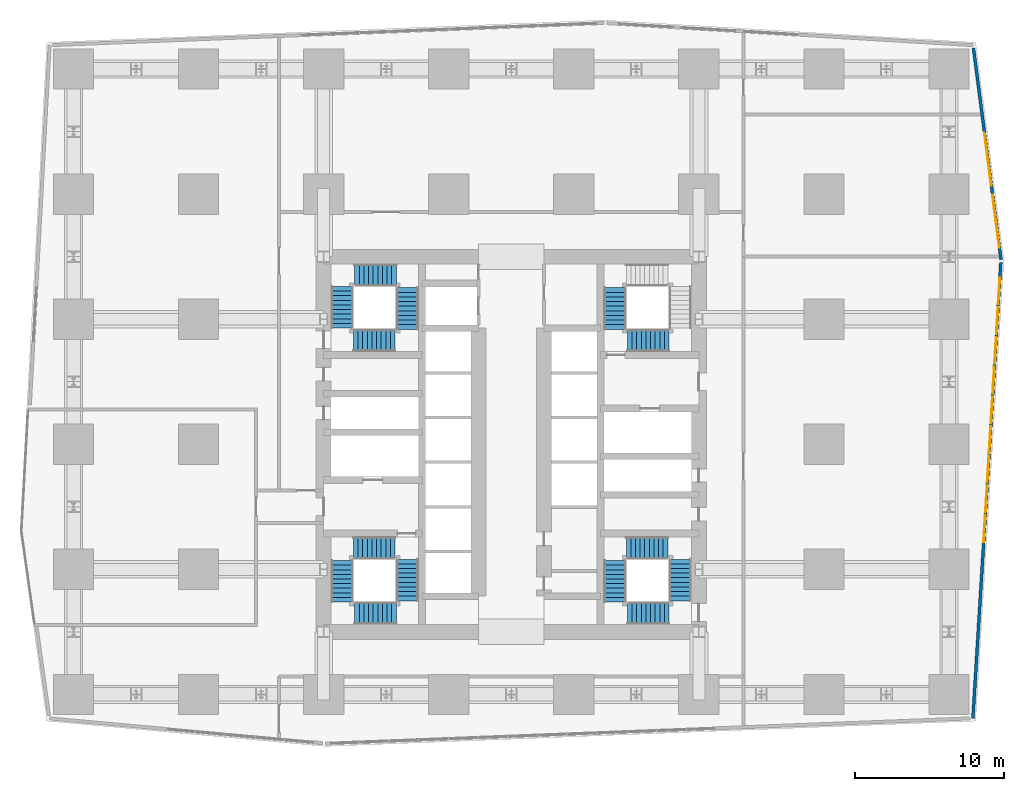
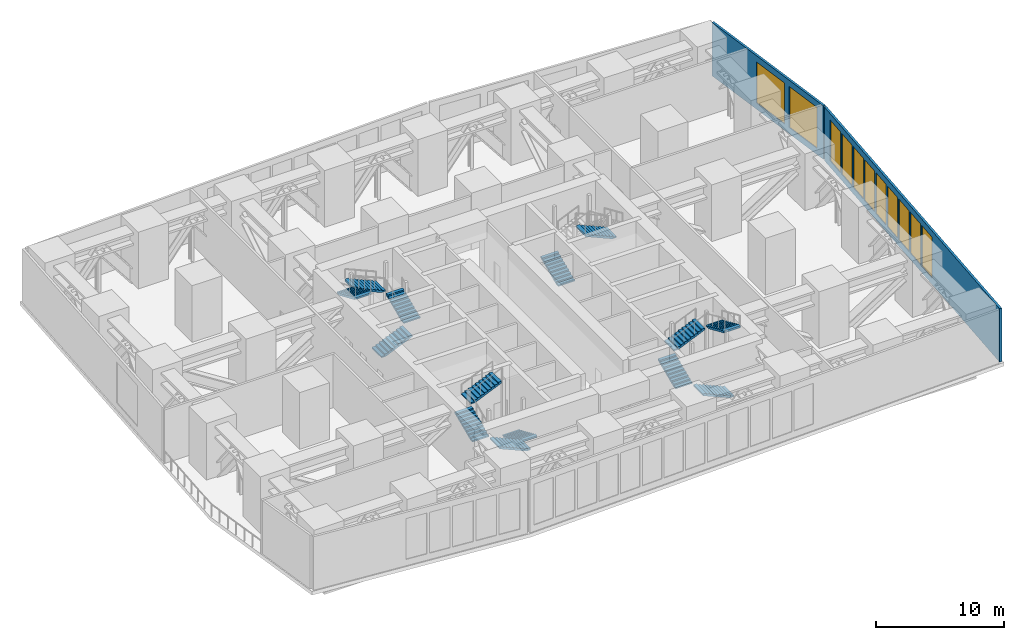
# One storey, part 12 of 16: 14 stair flights, 11 windows, 2 walls, 11 openings, 4 elements without a shape of their own.
"""IFC4 building model written with IfcOpenShell, lengths in metres."""

from ifc_helpers import new_model, si_unit, direction, frame, frame_2d, origin, place, context, subcontext, project, spatial, polyline, rectangle, outline, extrude, material, layer, layer_set, type_object, element, fill, aggregate, save


model = new_model("IFC4")

# Units and contexts
model_context = context("Model", 3, precision=1e-05, world=origin(), true_north=direction((0.0, 1.0)))
body_context = subcontext(model_context, "Body", "Model", "MODEL_VIEW")
ifc_project = project(units=[si_unit("LENGTHUNIT", "METRE"), si_unit("AREAUNIT", "SQUARE_METRE"), si_unit("VOLUMEUNIT", "CUBIC_METRE"), si_unit("PLANEANGLEUNIT", "RADIAN"), si_unit("MASSUNIT", "GRAM", prefix="KILO")], contexts=[model_context])

# Site, building, storey
site_placement = place(None, origin())
site = spatial("IfcSite", under=ifc_project, at=site_placement, CompositionType="ELEMENT")
building_placement = place(site_placement, origin())
building = spatial("IfcBuilding", under=site, at=building_placement, Name="Rekha Terrace Tower", CompositionType="ELEMENT")
storey_placement = place(building_placement, frame((0.0, 0.0, 162.800048828125)))
storey = spatial("IfcBuildingStorey", under=building, at=storey_placement, Name="L41", CompositionType="ELEMENT", Elevation=162.800048828125)

# Wall, openings, windows
ifc_material_1 = material(Name="Aluminium cladding on steel stud wall", Category="steel")
ifc_layer = layer(ifc_material_1, 0.199951171875)
ifc_layer_set = layer_set([ifc_layer], Name="Aluminium cladding on steel stud wall")
wall_type = type_object("IfcWallType", Name="EW1 plant floor louvre wall 200", PredefinedType="SOLIDWALL", material=ifc_layer_set)
wall_1_placement = place(storey_placement, frame((68.8115234375, 15.19287109375, 0.0), z_axis=(0.0, 0.0, 1.0), x_axis=(0.061158461772, 0.998128069214, 0.0)))
wall_1 = element("IfcWall", 1, at=wall_1_placement, inside=storey, type_object=wall_type, Name="Plant floor louvre wall", PredefinedType="SOLIDWALL", context=body_context, shape_type="SweptSolid", body=[
    extrude(rectangle(XDim=30.666015625, YDim=0.199951171875, at=frame_2d((15.3330078125, 0.0))), origin(), (0.0, 0.0, 1.0), 5.099853515625),
])
opening_1_placement = place(wall_1_placement, frame((11.851318359375, 0.0, 0.60009765625)))
opening_1 = element("IfcOpeningElement", 2, at=opening_1_placement, cuts=wall_1, Name="Opening LV2", PredefinedType="OPENING", context=body_context, shape_type="SweptSolid", body=[
    extrude(rectangle(XDim=1.800048828125, YDim=3.89990234375, at=frame_2d((0.89990234375, 1.949951171875))), frame((0.0, 0.10986328125, 0.0), z_axis=(0.0, -1.0, 0.0), x_axis=(1.0, 0.0, 0.0)), (0.0, 0.0, 1.0), 0.219970703125),
])
opening_2_placement = place(wall_1_placement, frame((13.851318359375, 0.0, 0.60009765625)))
opening_2 = element("IfcOpeningElement", 3, at=opening_2_placement, cuts=wall_1, Name="Opening LV2", PredefinedType="OPENING", context=body_context, shape_type="SweptSolid", body=[
    extrude(rectangle(XDim=1.800048828125, YDim=3.89990234375, at=frame_2d((0.89990234375, 1.949951171875))), frame((0.0, 0.10986328125, 0.0), z_axis=(0.0, -1.0, 0.0), x_axis=(1.0, 0.0, 0.0)), (0.0, 0.0, 1.0), 0.219970703125),
])
opening_3_placement = place(wall_1_placement, frame((15.851318359375, 0.0, 0.60009765625)))
opening_3 = element("IfcOpeningElement", 4, at=opening_3_placement, cuts=wall_1, Name="Opening LV2", PredefinedType="OPENING", context=body_context, shape_type="SweptSolid", body=[
    extrude(rectangle(XDim=1.800048828125, YDim=3.89990234375, at=frame_2d((0.89990234375, 1.949951171875))), frame((0.0, 0.10986328125, 0.0), z_axis=(0.0, -1.0, 0.0), x_axis=(1.0, 0.0, 0.0)), (0.0, 0.0, 1.0), 0.219970703125),
])
opening_4_placement = place(wall_1_placement, frame((17.851318359375, 0.0, 0.60009765625)))
opening_4 = element("IfcOpeningElement", 5, at=opening_4_placement, cuts=wall_1, Name="Opening LV2", PredefinedType="OPENING", context=body_context, shape_type="SweptSolid", body=[
    extrude(rectangle(XDim=1.800048828125, YDim=3.89990234375, at=frame_2d((0.89990234375, 1.949951171875))), frame((0.0, 0.10986328125, 0.0), z_axis=(0.0, -1.0, 0.0), x_axis=(1.0, 0.0, 0.0)), (0.0, 0.0, 1.0), 0.219970703125),
])
opening_5_placement = place(wall_1_placement, frame((19.851318359375, 0.0, 0.60009765625)))
opening_5 = element("IfcOpeningElement", 6, at=opening_5_placement, cuts=wall_1, Name="Opening LV2", PredefinedType="OPENING", context=body_context, shape_type="SweptSolid", body=[
    extrude(rectangle(XDim=1.800048828125, YDim=3.89990234375, at=frame_2d((0.89990234375, 1.949951171875))), frame((0.0, 0.10986328125, 0.0), z_axis=(0.0, -1.0, 0.0), x_axis=(1.0, 0.0, 0.0)), (0.0, 0.0, 1.0), 0.219970703125),
])
opening_6_placement = place(wall_1_placement, frame((21.851318359375, 0.0, 0.60009765625)))
opening_6 = element("IfcOpeningElement", 7, at=opening_6_placement, cuts=wall_1, Name="Opening LV2", PredefinedType="OPENING", context=body_context, shape_type="SweptSolid", body=[
    extrude(rectangle(XDim=1.800048828125, YDim=3.89990234375, at=frame_2d((0.89990234375, 1.949951171875))), frame((0.0, 0.10986328125, 0.0), z_axis=(0.0, -1.0, 0.0), x_axis=(1.0, 0.0, 0.0)), (0.0, 0.0, 1.0), 0.219970703125),
])
opening_7_placement = place(wall_1_placement, frame((23.851318359375, 0.0, 0.60009765625)))
opening_7 = element("IfcOpeningElement", 8, at=opening_7_placement, cuts=wall_1, Name="Opening LV2", PredefinedType="OPENING", context=body_context, shape_type="SweptSolid", body=[
    extrude(rectangle(XDim=1.800048828125, YDim=3.89990234375, at=frame_2d((0.89990234375, 1.949951171875))), frame((0.0, 0.10986328125, 0.0), z_axis=(0.0, -1.0, 0.0), x_axis=(1.0, 0.0, 0.0)), (0.0, 0.0, 1.0), 0.219970703125),
])
opening_8_placement = place(wall_1_placement, frame((25.851318359375, 0.0, 0.60009765625)))
opening_8 = element("IfcOpeningElement", 9, at=opening_8_placement, cuts=wall_1, Name="Opening LV2", PredefinedType="OPENING", context=body_context, shape_type="SweptSolid", body=[
    extrude(rectangle(XDim=1.800048828125, YDim=3.89990234375, at=frame_2d((0.89990234375, 1.949951171875))), frame((0.0, 0.10986328125, 0.0), z_axis=(0.0, -1.0, 0.0), x_axis=(1.0, 0.0, 0.0)), (0.0, 0.0, 1.0), 0.219970703125),
])
opening_9_placement = place(wall_1_placement, frame((27.851318359375, 0.0, 0.60009765625)))
opening_9 = element("IfcOpeningElement", 10, at=opening_9_placement, cuts=wall_1, Name="Opening LV2", PredefinedType="OPENING", context=body_context, shape_type="SweptSolid", body=[
    extrude(rectangle(XDim=1.800048828125, YDim=3.89990234375, at=frame_2d((0.89990234375, 1.949951171875))), frame((0.0, 0.10986328125, 0.0), z_axis=(0.0, -1.0, 0.0), x_axis=(1.0, 0.0, 0.0)), (0.0, 0.0, 1.0), 0.219970703125),
])
ifc_material_2 = material(Name="Extruded aluminium weather louvre", Category="aluminium")
window_type_1 = type_object("IfcWindowType", Name="LV2 plant louvre 1800", PartitioningType="SINGLE_PANEL", PredefinedType="USERDEFINED", material=ifc_material_2)
window_1_placement = place(opening_1_placement, origin())
window_1 = element("IfcWindow", 11, at=window_1_placement, inside=storey, type_object=window_type_1, Name="Plant louvre", ObjectType="LOUVRE", OverallHeight=3.89990234375, OverallWidth=1.800048828125, PartitioningType="SINGLE_PANEL", PredefinedType="USERDEFINED", context=body_context, shape_type="SweptSolid", body=[
    extrude(rectangle(XDim=1.800048828125, YDim=3.89990234375, at=frame_2d((0.89990234375, 1.949951171875))), frame((0.0, 0.030029296875, 0.0), z_axis=(0.0, -1.0, 0.0), x_axis=(1.0, 0.0, 0.0)), (0.0, 0.0, 1.0), 0.06005859375),
])
fill(opening_1, window_1)
window_2_placement = place(opening_2_placement, origin())
window_2 = element("IfcWindow", 12, at=window_2_placement, inside=storey, type_object=window_type_1, Name="Plant louvre", ObjectType="LOUVRE", OverallHeight=3.89990234375, OverallWidth=1.800048828125, PartitioningType="SINGLE_PANEL", PredefinedType="USERDEFINED", context=body_context, shape_type="SweptSolid", body=[
    extrude(rectangle(XDim=1.800048828125, YDim=3.89990234375, at=frame_2d((0.89990234375, 1.949951171875))), frame((0.0, 0.030029296875, 0.0), z_axis=(0.0, -1.0, 0.0), x_axis=(1.0, 0.0, 0.0)), (0.0, 0.0, 1.0), 0.06005859375),
])
fill(opening_2, window_2)
window_3_placement = place(opening_3_placement, origin())
window_3 = element("IfcWindow", 13, at=window_3_placement, inside=storey, type_object=window_type_1, Name="Plant louvre", ObjectType="LOUVRE", OverallHeight=3.89990234375, OverallWidth=1.800048828125, PartitioningType="SINGLE_PANEL", PredefinedType="USERDEFINED", context=body_context, shape_type="SweptSolid", body=[
    extrude(rectangle(XDim=1.800048828125, YDim=3.89990234375, at=frame_2d((0.89990234375, 1.949951171875))), frame((0.0, 0.030029296875, 0.0), z_axis=(0.0, -1.0, 0.0), x_axis=(1.0, 0.0, 0.0)), (0.0, 0.0, 1.0), 0.06005859375),
])
fill(opening_3, window_3)
window_4_placement = place(opening_4_placement, origin())
window_4 = element("IfcWindow", 14, at=window_4_placement, inside=storey, type_object=window_type_1, Name="Plant louvre", ObjectType="LOUVRE", OverallHeight=3.89990234375, OverallWidth=1.800048828125, PartitioningType="SINGLE_PANEL", PredefinedType="USERDEFINED", context=body_context, shape_type="SweptSolid", body=[
    extrude(rectangle(XDim=1.800048828125, YDim=3.89990234375, at=frame_2d((0.89990234375, 1.949951171875))), frame((0.0, 0.030029296875, 0.0), z_axis=(0.0, -1.0, 0.0), x_axis=(1.0, 0.0, 0.0)), (0.0, 0.0, 1.0), 0.06005859375),
])
fill(opening_4, window_4)
window_5_placement = place(opening_5_placement, origin())
window_5 = element("IfcWindow", 15, at=window_5_placement, inside=storey, type_object=window_type_1, Name="Plant louvre", ObjectType="LOUVRE", OverallHeight=3.89990234375, OverallWidth=1.800048828125, PartitioningType="SINGLE_PANEL", PredefinedType="USERDEFINED", context=body_context, shape_type="SweptSolid", body=[
    extrude(rectangle(XDim=1.800048828125, YDim=3.89990234375, at=frame_2d((0.89990234375, 1.949951171875))), frame((0.0, 0.030029296875, 0.0), z_axis=(0.0, -1.0, 0.0), x_axis=(1.0, 0.0, 0.0)), (0.0, 0.0, 1.0), 0.06005859375),
])
fill(opening_5, window_5)
window_6_placement = place(opening_6_placement, origin())
window_6 = element("IfcWindow", 16, at=window_6_placement, inside=storey, type_object=window_type_1, Name="Plant louvre", ObjectType="LOUVRE", OverallHeight=3.89990234375, OverallWidth=1.800048828125, PartitioningType="SINGLE_PANEL", PredefinedType="USERDEFINED", context=body_context, shape_type="SweptSolid", body=[
    extrude(rectangle(XDim=1.800048828125, YDim=3.89990234375, at=frame_2d((0.89990234375, 1.949951171875))), frame((0.0, 0.030029296875, 0.0), z_axis=(0.0, -1.0, 0.0), x_axis=(1.0, 0.0, 0.0)), (0.0, 0.0, 1.0), 0.06005859375),
])
fill(opening_6, window_6)
window_7_placement = place(opening_7_placement, origin())
window_7 = element("IfcWindow", 17, at=window_7_placement, inside=storey, type_object=window_type_1, Name="Plant louvre", ObjectType="LOUVRE", OverallHeight=3.89990234375, OverallWidth=1.800048828125, PartitioningType="SINGLE_PANEL", PredefinedType="USERDEFINED", context=body_context, shape_type="SweptSolid", body=[
    extrude(rectangle(XDim=1.800048828125, YDim=3.89990234375, at=frame_2d((0.89990234375, 1.949951171875))), frame((0.0, 0.030029296875, 0.0), z_axis=(0.0, -1.0, 0.0), x_axis=(1.0, 0.0, 0.0)), (0.0, 0.0, 1.0), 0.06005859375),
])
fill(opening_7, window_7)
window_8_placement = place(opening_8_placement, origin())
window_8 = element("IfcWindow", 18, at=window_8_placement, inside=storey, type_object=window_type_1, Name="Plant louvre", ObjectType="LOUVRE", OverallHeight=3.89990234375, OverallWidth=1.800048828125, PartitioningType="SINGLE_PANEL", PredefinedType="USERDEFINED", context=body_context, shape_type="SweptSolid", body=[
    extrude(rectangle(XDim=1.800048828125, YDim=3.89990234375, at=frame_2d((0.89990234375, 1.949951171875))), frame((0.0, 0.030029296875, 0.0), z_axis=(0.0, -1.0, 0.0), x_axis=(1.0, 0.0, 0.0)), (0.0, 0.0, 1.0), 0.06005859375),
])
fill(opening_8, window_8)
window_9_placement = place(opening_9_placement, origin())
window_9 = element("IfcWindow", 19, at=window_9_placement, inside=storey, type_object=window_type_1, Name="Plant louvre", ObjectType="LOUVRE", OverallHeight=3.89990234375, OverallWidth=1.800048828125, PartitioningType="SINGLE_PANEL", PredefinedType="USERDEFINED", context=body_context, shape_type="SweptSolid", body=[
    extrude(rectangle(XDim=1.800048828125, YDim=3.89990234375, at=frame_2d((0.89990234375, 1.949951171875))), frame((0.0, 0.030029296875, 0.0), z_axis=(0.0, -1.0, 0.0), x_axis=(1.0, 0.0, 0.0)), (0.0, 0.0, 1.0), 0.06005859375),
])
fill(opening_9, window_9)

wall_2_placement = place(storey_placement, frame((70.69921875, 46.001220703125, 0.0), z_axis=(0.0, 0.0, 1.0), x_axis=(-0.129117772867, 0.991629265769, 0.0)))
wall_2 = element("IfcWall", 20, at=wall_2_placement, inside=storey, type_object=wall_type, Name="Plant floor louvre wall", PredefinedType="SOLIDWALL", context=body_context, shape_type="SweptSolid", body=[
    extrude(rectangle(XDim=14.33056640625, YDim=0.199951171875, at=frame_2d((7.165283203125, 0.0))), origin(), (0.0, 0.0, 1.0), 5.099853515625),
])
opening_10_placement = place(wall_2_placement, frame((0.79443359375, 0.0, 0.60009765625)))
opening_10 = element("IfcOpeningElement", 21, at=opening_10_placement, cuts=wall_2, Name="Opening LV1", PredefinedType="OPENING", context=body_context, shape_type="SweptSolid", body=[
    extrude(rectangle(XDim=3.60009765625, YDim=3.89990234375, at=frame_2d((1.800048828125, 1.949951171875))), frame((0.0, 0.10986328125, 0.0), z_axis=(0.0, -1.0, 0.0), x_axis=(1.0, 0.0, 0.0)), (0.0, 0.0, 1.0), 0.219970703125),
])
opening_11_placement = place(wall_2_placement, frame((4.994384765625, 0.0, 0.60009765625)))
opening_11 = element("IfcOpeningElement", 22, at=opening_11_placement, cuts=wall_2, Name="Opening LV1", PredefinedType="OPENING", context=body_context, shape_type="SweptSolid", body=[
    extrude(rectangle(XDim=3.60009765625, YDim=3.89990234375, at=frame_2d((1.800048828125, 1.949951171875))), frame((0.0, 0.10986328125, 0.0), z_axis=(0.0, -1.0, 0.0), x_axis=(1.0, 0.0, 0.0)), (0.0, 0.0, 1.0), 0.219970703125),
])
window_type_2 = type_object("IfcWindowType", Name="LV1 plant louvre 3600", PartitioningType="SINGLE_PANEL", PredefinedType="USERDEFINED", material=ifc_material_2)
window_10_placement = place(opening_10_placement, origin())
window_10 = element("IfcWindow", 23, at=window_10_placement, inside=storey, type_object=window_type_2, Name="Plant louvre", ObjectType="LOUVRE", OverallHeight=3.89990234375, OverallWidth=3.60009765625, PartitioningType="SINGLE_PANEL", PredefinedType="USERDEFINED", context=body_context, shape_type="SweptSolid", body=[
    extrude(rectangle(XDim=3.60009765625, YDim=3.89990234375, at=frame_2d((1.800048828125, 1.949951171875))), frame((0.0, 0.030029296875, 0.0), z_axis=(0.0, -1.0, 0.0), x_axis=(1.0, 0.0, 0.0)), (0.0, 0.0, 1.0), 0.06005859375),
])
fill(opening_10, window_10)
window_11_placement = place(opening_11_placement, origin())
window_11 = element("IfcWindow", 24, at=window_11_placement, inside=storey, type_object=window_type_2, Name="Plant louvre", ObjectType="LOUVRE", OverallHeight=3.89990234375, OverallWidth=3.60009765625, PartitioningType="SINGLE_PANEL", PredefinedType="USERDEFINED", context=body_context, shape_type="SweptSolid", body=[
    extrude(rectangle(XDim=3.60009765625, YDim=3.89990234375, at=frame_2d((1.800048828125, 1.949951171875))), frame((0.0, 0.030029296875, 0.0), z_axis=(0.0, -1.0, 0.0), x_axis=(1.0, 0.0, 0.0)), (0.0, 0.0, 1.0), 0.06005859375),
])
fill(opening_11, window_11)

# Stair, stair flights
ifc_material_3 = material(Name="Concrete M40", Category="concrete")
stair_type = type_object("IfcStairType", Name="ST40 stair, 40 risers of 135, going 310, 1500 wide flights, 4 flights", PredefinedType="QUARTER_TURN_STAIR", material=ifc_material_3)
stair_1_placement = place(storey_placement, origin())
stair_1 = element("IfcStair", 25, at=stair_1_placement, inside=storey, type_object=stair_type, Name="Stair ST1 L41 to L42", PredefinedType="QUARTER_TURN_STAIR")
stair_flight_type = type_object("IfcStairFlightType", Name="SF10 stair flight, 10 risers of 135, going 310, 1500 wide", PredefinedType="STRAIGHT", material=ifc_material_3)
stair_flight_1_placement = place(storey_placement, frame((30.824951171875, 25.875, 0.0), z_axis=(0.0, 0.0, 1.0), x_axis=(0.0, -1.0, 0.0)))
stair_flight_1 = element("IfcStairFlight", 26, at=stair_flight_1_placement, type_object=stair_flight_type, Name="ST1 flight 1", NumberOfRisers=10, NumberOfTreads=9, PredefinedType="STRAIGHT", RiserHeight=0.135, TreadLength=0.31, context=body_context, shape_type="SweptSolid", body=[
    extrude(outline(polyline([(0.0, 0.0), (0.0, 0.135009765625), (0.31005859375, 0.135009765625), (0.31005859375, 0.27001953125), (0.6201171875, 0.27001953125), (0.6201171875, 0.405029296875), (0.929931640625, 0.405029296875), (0.929931640625, 0.5400390625), (1.239990234375, 0.5400390625), (1.239990234375, 0.675048828125), (1.550048828125, 0.675048828125), (1.550048828125, 0.81005859375), (1.860107421875, 0.81005859375), (1.860107421875, 0.945068359375), (2.169921875, 0.945068359375), (2.169921875, 1.080078125), (2.47998046875, 1.080078125), (2.47998046875, 1.215087890625), (2.7900390625, 1.215087890625), (2.7900390625, 1.35009765625), (2.7900390625, 1.051513671875), (0.37548828125, 0.0), (0.0, 0.0)])), frame((0.0, 0.75, 0.0), z_axis=(0.0, -1.0, 0.0), x_axis=(1.0, 0.0, 0.0)), (0.0, 0.0, 1.0), 1.5),
])
stair_flight_2_placement = place(storey_placement, frame((30.074951171875, 22.25, 1.349853515625), z_axis=(0.0, 0.0, 1.0), x_axis=(-1.0, 0.0, 0.0)))
stair_flight_2 = element("IfcStairFlight", 27, at=stair_flight_2_placement, type_object=stair_flight_type, Name="ST1 flight 2", NumberOfRisers=10, NumberOfTreads=9, PredefinedType="STRAIGHT", RiserHeight=0.135, TreadLength=0.31, context=body_context, shape_type="SweptSolid", body=[
    extrude(outline(polyline([(0.0, 0.0), (0.0, 0.135009765625), (0.31005859375, 0.135009765625), (0.31005859375, 0.27001953125), (0.6201171875, 0.27001953125), (0.6201171875, 0.405029296875), (0.929931640625, 0.405029296875), (0.929931640625, 0.5400390625), (1.239990234375, 0.5400390625), (1.239990234375, 0.675048828125), (1.550048828125, 0.675048828125), (1.550048828125, 0.81005859375), (1.860107421875, 0.81005859375), (1.860107421875, 0.945068359375), (2.169921875, 0.945068359375), (2.169921875, 1.080078125), (2.47998046875, 1.080078125), (2.47998046875, 1.215087890625), (2.7900390625, 1.215087890625), (2.7900390625, 1.35009765625), (2.7900390625, 1.051513671875), (0.37548828125, 0.0), (0.0, 0.0)])), frame((0.0, 0.75, 0.0), z_axis=(0.0, -1.0, 0.0), x_axis=(1.0, 0.0, 0.0)), (0.0, 0.0, 1.0), 1.5),
])
stair_flight_3_placement = place(storey_placement, frame((26.449951171875, 23.0, 2.699951171875), z_axis=(0.0, 0.0, 1.0), x_axis=(0.0, 1.0, 0.0)))
stair_flight_3 = element("IfcStairFlight", 28, at=stair_flight_3_placement, type_object=stair_flight_type, Name="ST1 flight 3", NumberOfRisers=10, NumberOfTreads=9, PredefinedType="STRAIGHT", RiserHeight=0.135, TreadLength=0.31, context=body_context, shape_type="SweptSolid", body=[
    extrude(outline(polyline([(0.0, 0.0), (0.0, 0.135009765625), (0.31005859375, 0.135009765625), (0.31005859375, 0.27001953125), (0.6201171875, 0.27001953125), (0.6201171875, 0.405029296875), (0.929931640625, 0.405029296875), (0.929931640625, 0.5400390625), (1.239990234375, 0.5400390625), (1.239990234375, 0.675048828125), (1.550048828125, 0.675048828125), (1.550048828125, 0.81005859375), (1.860107421875, 0.81005859375), (1.860107421875, 0.945068359375), (2.169921875, 0.945068359375), (2.169921875, 1.080078125), (2.47998046875, 1.080078125), (2.47998046875, 1.215087890625), (2.7900390625, 1.215087890625), (2.7900390625, 1.35009765625), (2.7900390625, 1.051513671875), (0.37548828125, 0.0), (0.0, 0.0)])), frame((0.0, 0.75, 0.0), z_axis=(0.0, -1.0, 0.0), x_axis=(1.0, 0.0, 0.0)), (0.0, 0.0, 1.0), 1.5),
])
stair_flight_4_placement = place(storey_placement, frame((27.199951171875, 26.625, 4.050048828125), z_axis=(0.0, 0.0, 1.0), x_axis=(1.0, 0.0, 0.0)))
stair_flight_4 = element("IfcStairFlight", 29, at=stair_flight_4_placement, type_object=stair_flight_type, Name="ST1 flight 4", NumberOfRisers=10, NumberOfTreads=9, PredefinedType="STRAIGHT", RiserHeight=0.135, TreadLength=0.31, context=body_context, shape_type="SweptSolid", body=[
    extrude(outline(polyline([(0.0, 0.0), (0.0, 0.135009765625), (0.31005859375, 0.135009765625), (0.31005859375, 0.27001953125), (0.6201171875, 0.27001953125), (0.6201171875, 0.405029296875), (0.929931640625, 0.405029296875), (0.929931640625, 0.5400390625), (1.239990234375, 0.5400390625), (1.239990234375, 0.675048828125), (1.550048828125, 0.675048828125), (1.550048828125, 0.81005859375), (1.860107421875, 0.81005859375), (1.860107421875, 0.945068359375), (2.169921875, 0.945068359375), (2.169921875, 1.080078125), (2.47998046875, 1.080078125), (2.47998046875, 1.215087890625), (2.7900390625, 1.215087890625), (2.7900390625, 1.35009765625), (2.7900390625, 1.051513671875), (0.37548828125, 0.0), (0.0, 0.0)])), frame((0.0, 0.75, 0.0), z_axis=(0.0, -1.0, 0.0), x_axis=(1.0, 0.0, 0.0)), (0.0, 0.0, 1.0), 1.5),
])
aggregate(stair_1, [stair_flight_1, stair_flight_2, stair_flight_3, stair_flight_4])

stair_2_placement = place(storey_placement, origin())
stair_2 = element("IfcStair", 30, at=stair_2_placement, inside=storey, type_object=stair_type, Name="Stair ST2 L41 to L42", PredefinedType="QUARTER_TURN_STAIR")
stair_flight_5_placement = place(storey_placement, frame((44.77490234375, 41.324951171875, 0.0), z_axis=(0.0, 0.0, 1.0), x_axis=(0.0, 1.0, 0.0)))
stair_flight_5 = element("IfcStairFlight", 31, at=stair_flight_5_placement, type_object=stair_flight_type, Name="ST2 flight 1", NumberOfRisers=10, NumberOfTreads=9, PredefinedType="STRAIGHT", RiserHeight=0.135, TreadLength=0.31, context=body_context, shape_type="SweptSolid", body=[
    extrude(outline(polyline([(0.0, 0.0), (0.0, 0.135009765625), (0.31005859375, 0.135009765625), (0.31005859375, 0.27001953125), (0.6201171875, 0.27001953125), (0.6201171875, 0.405029296875), (0.929931640625, 0.405029296875), (0.929931640625, 0.5400390625), (1.239990234375, 0.5400390625), (1.239990234375, 0.675048828125), (1.550048828125, 0.675048828125), (1.550048828125, 0.81005859375), (1.860107421875, 0.81005859375), (1.860107421875, 0.945068359375), (2.169921875, 0.945068359375), (2.169921875, 1.080078125), (2.47998046875, 1.080078125), (2.47998046875, 1.215087890625), (2.7900390625, 1.215087890625), (2.7900390625, 1.35009765625), (2.7900390625, 1.051513671875), (0.37548828125, 0.0), (0.0, 0.0)])), frame((0.0, 0.75, 0.0), z_axis=(0.0, -1.0, 0.0), x_axis=(1.0, 0.0, 0.0)), (0.0, 0.0, 1.0), 1.5),
])
stair_flight_6_placement = place(storey_placement, frame((48.39990234375, 40.574951171875, 4.050048828125), z_axis=(0.0, 0.0, 1.0), x_axis=(-1.0, 0.0, 0.0)))
stair_flight_6 = element("IfcStairFlight", 32, at=stair_flight_6_placement, type_object=stair_flight_type, Name="ST2 flight 4", NumberOfRisers=10, NumberOfTreads=9, PredefinedType="STRAIGHT", RiserHeight=0.135, TreadLength=0.31, context=body_context, shape_type="SweptSolid", body=[
    extrude(outline(polyline([(0.0, 0.0), (0.0, 0.135009765625), (0.31005859375, 0.135009765625), (0.31005859375, 0.27001953125), (0.6201171875, 0.27001953125), (0.6201171875, 0.405029296875), (0.929931640625, 0.405029296875), (0.929931640625, 0.5400390625), (1.239990234375, 0.5400390625), (1.239990234375, 0.675048828125), (1.550048828125, 0.675048828125), (1.550048828125, 0.81005859375), (1.860107421875, 0.81005859375), (1.860107421875, 0.945068359375), (2.169921875, 0.945068359375), (2.169921875, 1.080078125), (2.47998046875, 1.080078125), (2.47998046875, 1.215087890625), (2.7900390625, 1.215087890625), (2.7900390625, 1.35009765625), (2.7900390625, 1.051513671875), (0.37548828125, 0.0), (0.0, 0.0)])), frame((0.0, 0.75, 0.0), z_axis=(0.0, -1.0, 0.0), x_axis=(1.0, 0.0, 0.0)), (0.0, 0.0, 1.0), 1.5),
])
aggregate(stair_2, [stair_flight_5, stair_flight_6])

stair_3_placement = place(storey_placement, origin())
stair_3 = element("IfcStair", 33, at=stair_3_placement, inside=storey, type_object=stair_type, Name="Stair ST3 L41 to L42", PredefinedType="QUARTER_TURN_STAIR")
stair_flight_7_placement = place(storey_placement, frame((48.39990234375, 22.25, 0.0), z_axis=(0.0, 0.0, 1.0), x_axis=(-1.0, 0.0, 0.0)))
stair_flight_7 = element("IfcStairFlight", 34, at=stair_flight_7_placement, type_object=stair_flight_type, Name="ST3 flight 1", NumberOfRisers=10, NumberOfTreads=9, PredefinedType="STRAIGHT", RiserHeight=0.135, TreadLength=0.31, context=body_context, shape_type="SweptSolid", body=[
    extrude(outline(polyline([(0.0, 0.0), (0.0, 0.135009765625), (0.31005859375, 0.135009765625), (0.31005859375, 0.27001953125), (0.6201171875, 0.27001953125), (0.6201171875, 0.405029296875), (0.929931640625, 0.405029296875), (0.929931640625, 0.5400390625), (1.239990234375, 0.5400390625), (1.239990234375, 0.675048828125), (1.550048828125, 0.675048828125), (1.550048828125, 0.81005859375), (1.860107421875, 0.81005859375), (1.860107421875, 0.945068359375), (2.169921875, 0.945068359375), (2.169921875, 1.080078125), (2.47998046875, 1.080078125), (2.47998046875, 1.215087890625), (2.7900390625, 1.215087890625), (2.7900390625, 1.35009765625), (2.7900390625, 1.051513671875), (0.37548828125, 0.0), (0.0, 0.0)])), frame((0.0, 0.75, 0.0), z_axis=(0.0, -1.0, 0.0), x_axis=(1.0, 0.0, 0.0)), (0.0, 0.0, 1.0), 1.5),
])
stair_flight_8_placement = place(storey_placement, frame((44.77490234375, 23.0, 1.349853515625), z_axis=(0.0, 0.0, 1.0), x_axis=(0.0, 1.0, 0.0)))
stair_flight_8 = element("IfcStairFlight", 35, at=stair_flight_8_placement, type_object=stair_flight_type, Name="ST3 flight 2", NumberOfRisers=10, NumberOfTreads=9, PredefinedType="STRAIGHT", RiserHeight=0.135, TreadLength=0.31, context=body_context, shape_type="SweptSolid", body=[
    extrude(outline(polyline([(0.0, 0.0), (0.0, 0.135009765625), (0.31005859375, 0.135009765625), (0.31005859375, 0.27001953125), (0.6201171875, 0.27001953125), (0.6201171875, 0.405029296875), (0.929931640625, 0.405029296875), (0.929931640625, 0.5400390625), (1.239990234375, 0.5400390625), (1.239990234375, 0.675048828125), (1.550048828125, 0.675048828125), (1.550048828125, 0.81005859375), (1.860107421875, 0.81005859375), (1.860107421875, 0.945068359375), (2.169921875, 0.945068359375), (2.169921875, 1.080078125), (2.47998046875, 1.080078125), (2.47998046875, 1.215087890625), (2.7900390625, 1.215087890625), (2.7900390625, 1.35009765625), (2.7900390625, 1.051513671875), (0.37548828125, 0.0), (0.0, 0.0)])), frame((0.0, 0.75, 0.0), z_axis=(0.0, -1.0, 0.0), x_axis=(1.0, 0.0, 0.0)), (0.0, 0.0, 1.0), 1.5),
])
stair_flight_9_placement = place(storey_placement, frame((45.52490234375, 26.625, 2.699951171875), z_axis=(0.0, 0.0, 1.0), x_axis=(1.0, 0.0, 0.0)))
stair_flight_9 = element("IfcStairFlight", 36, at=stair_flight_9_placement, type_object=stair_flight_type, Name="ST3 flight 3", NumberOfRisers=10, NumberOfTreads=9, PredefinedType="STRAIGHT", RiserHeight=0.135, TreadLength=0.31, context=body_context, shape_type="SweptSolid", body=[
    extrude(outline(polyline([(0.0, 0.0), (0.0, 0.135009765625), (0.31005859375, 0.135009765625), (0.31005859375, 0.27001953125), (0.6201171875, 0.27001953125), (0.6201171875, 0.405029296875), (0.929931640625, 0.405029296875), (0.929931640625, 0.5400390625), (1.239990234375, 0.5400390625), (1.239990234375, 0.675048828125), (1.550048828125, 0.675048828125), (1.550048828125, 0.81005859375), (1.860107421875, 0.81005859375), (1.860107421875, 0.945068359375), (2.169921875, 0.945068359375), (2.169921875, 1.080078125), (2.47998046875, 1.080078125), (2.47998046875, 1.215087890625), (2.7900390625, 1.215087890625), (2.7900390625, 1.35009765625), (2.7900390625, 1.051513671875), (0.37548828125, 0.0), (0.0, 0.0)])), frame((0.0, 0.75, 0.0), z_axis=(0.0, -1.0, 0.0), x_axis=(1.0, 0.0, 0.0)), (0.0, 0.0, 1.0), 1.5),
])
stair_flight_10_placement = place(storey_placement, frame((49.14990234375, 25.875, 4.050048828125), z_axis=(0.0, 0.0, 1.0), x_axis=(0.0, -1.0, 0.0)))
stair_flight_10 = element("IfcStairFlight", 37, at=stair_flight_10_placement, type_object=stair_flight_type, Name="ST3 flight 4", NumberOfRisers=10, NumberOfTreads=9, PredefinedType="STRAIGHT", RiserHeight=0.135, TreadLength=0.31, context=body_context, shape_type="SweptSolid", body=[
    extrude(outline(polyline([(0.0, 0.0), (0.0, 0.135009765625), (0.31005859375, 0.135009765625), (0.31005859375, 0.27001953125), (0.6201171875, 0.27001953125), (0.6201171875, 0.405029296875), (0.929931640625, 0.405029296875), (0.929931640625, 0.5400390625), (1.239990234375, 0.5400390625), (1.239990234375, 0.675048828125), (1.550048828125, 0.675048828125), (1.550048828125, 0.81005859375), (1.860107421875, 0.81005859375), (1.860107421875, 0.945068359375), (2.169921875, 0.945068359375), (2.169921875, 1.080078125), (2.47998046875, 1.080078125), (2.47998046875, 1.215087890625), (2.7900390625, 1.215087890625), (2.7900390625, 1.35009765625), (2.7900390625, 1.051513671875), (0.37548828125, 0.0), (0.0, 0.0)])), frame((0.0, 0.75, 0.0), z_axis=(0.0, -1.0, 0.0), x_axis=(1.0, 0.0, 0.0)), (0.0, 0.0, 1.0), 1.5),
])
aggregate(stair_3, [stair_flight_7, stair_flight_8, stair_flight_9, stair_flight_10])

stair_4_placement = place(storey_placement, origin())
stair_4 = element("IfcStair", 38, at=stair_4_placement, inside=storey, type_object=stair_type, Name="Stair ST4 L41 to L42", PredefinedType="QUARTER_TURN_STAIR")
stair_flight_11_placement = place(storey_placement, frame((27.199951171875, 40.574951171875, 0.0), z_axis=(0.0, 0.0, 1.0), x_axis=(1.0, 0.0, 0.0)))
stair_flight_11 = element("IfcStairFlight", 39, at=stair_flight_11_placement, type_object=stair_flight_type, Name="ST4 flight 1", NumberOfRisers=10, NumberOfTreads=9, PredefinedType="STRAIGHT", RiserHeight=0.135, TreadLength=0.31, context=body_context, shape_type="SweptSolid", body=[
    extrude(outline(polyline([(0.0, 0.0), (0.0, 0.135009765625), (0.31005859375, 0.135009765625), (0.31005859375, 0.27001953125), (0.6201171875, 0.27001953125), (0.6201171875, 0.405029296875), (0.929931640625, 0.405029296875), (0.929931640625, 0.5400390625), (1.239990234375, 0.5400390625), (1.239990234375, 0.675048828125), (1.550048828125, 0.675048828125), (1.550048828125, 0.81005859375), (1.860107421875, 0.81005859375), (1.860107421875, 0.945068359375), (2.169921875, 0.945068359375), (2.169921875, 1.080078125), (2.47998046875, 1.080078125), (2.47998046875, 1.215087890625), (2.7900390625, 1.215087890625), (2.7900390625, 1.35009765625), (2.7900390625, 1.051513671875), (0.37548828125, 0.0), (0.0, 0.0)])), frame((0.0, 0.75, 0.0), z_axis=(0.0, -1.0, 0.0), x_axis=(1.0, 0.0, 0.0)), (0.0, 0.0, 1.0), 1.5),
])
stair_flight_12_placement = place(storey_placement, frame((30.824951171875, 41.324951171875, 1.349853515625), z_axis=(0.0, 0.0, 1.0), x_axis=(0.0, 1.0, 0.0)))
stair_flight_12 = element("IfcStairFlight", 40, at=stair_flight_12_placement, type_object=stair_flight_type, Name="ST4 flight 2", NumberOfRisers=10, NumberOfTreads=9, PredefinedType="STRAIGHT", RiserHeight=0.135, TreadLength=0.31, context=body_context, shape_type="SweptSolid", body=[
    extrude(outline(polyline([(0.0, 0.0), (0.0, 0.135009765625), (0.31005859375, 0.135009765625), (0.31005859375, 0.27001953125), (0.6201171875, 0.27001953125), (0.6201171875, 0.405029296875), (0.929931640625, 0.405029296875), (0.929931640625, 0.5400390625), (1.239990234375, 0.5400390625), (1.239990234375, 0.675048828125), (1.550048828125, 0.675048828125), (1.550048828125, 0.81005859375), (1.860107421875, 0.81005859375), (1.860107421875, 0.945068359375), (2.169921875, 0.945068359375), (2.169921875, 1.080078125), (2.47998046875, 1.080078125), (2.47998046875, 1.215087890625), (2.7900390625, 1.215087890625), (2.7900390625, 1.35009765625), (2.7900390625, 1.051513671875), (0.37548828125, 0.0), (0.0, 0.0)])), frame((0.0, 0.75, 0.0), z_axis=(0.0, -1.0, 0.0), x_axis=(1.0, 0.0, 0.0)), (0.0, 0.0, 1.0), 1.5),
])
stair_flight_13_placement = place(storey_placement, frame((30.074951171875, 44.949951171875, 2.699951171875), z_axis=(0.0, 0.0, 1.0), x_axis=(-1.0, 0.0, 0.0)))
stair_flight_13 = element("IfcStairFlight", 41, at=stair_flight_13_placement, type_object=stair_flight_type, Name="ST4 flight 3", NumberOfRisers=10, NumberOfTreads=9, PredefinedType="STRAIGHT", RiserHeight=0.135, TreadLength=0.31, context=body_context, shape_type="SweptSolid", body=[
    extrude(outline(polyline([(0.0, 0.0), (0.0, 0.135009765625), (0.31005859375, 0.135009765625), (0.31005859375, 0.27001953125), (0.6201171875, 0.27001953125), (0.6201171875, 0.405029296875), (0.929931640625, 0.405029296875), (0.929931640625, 0.5400390625), (1.239990234375, 0.5400390625), (1.239990234375, 0.675048828125), (1.550048828125, 0.675048828125), (1.550048828125, 0.81005859375), (1.860107421875, 0.81005859375), (1.860107421875, 0.945068359375), (2.169921875, 0.945068359375), (2.169921875, 1.080078125), (2.47998046875, 1.080078125), (2.47998046875, 1.215087890625), (2.7900390625, 1.215087890625), (2.7900390625, 1.35009765625), (2.7900390625, 1.051513671875), (0.37548828125, 0.0), (0.0, 0.0)])), frame((0.0, 0.75, 0.0), z_axis=(0.0, -1.0, 0.0), x_axis=(1.0, 0.0, 0.0)), (0.0, 0.0, 1.0), 1.5),
])
stair_flight_14_placement = place(storey_placement, frame((26.449951171875, 44.199951171875, 4.050048828125), z_axis=(0.0, 0.0, 1.0), x_axis=(0.0, -1.0, 0.0)))
stair_flight_14 = element("IfcStairFlight", 42, at=stair_flight_14_placement, type_object=stair_flight_type, Name="ST4 flight 4", NumberOfRisers=10, NumberOfTreads=9, PredefinedType="STRAIGHT", RiserHeight=0.135, TreadLength=0.31, context=body_context, shape_type="SweptSolid", body=[
    extrude(outline(polyline([(0.0, 0.0), (0.0, 0.135009765625), (0.31005859375, 0.135009765625), (0.31005859375, 0.27001953125), (0.6201171875, 0.27001953125), (0.6201171875, 0.405029296875), (0.929931640625, 0.405029296875), (0.929931640625, 0.5400390625), (1.239990234375, 0.5400390625), (1.239990234375, 0.675048828125), (1.550048828125, 0.675048828125), (1.550048828125, 0.81005859375), (1.860107421875, 0.81005859375), (1.860107421875, 0.945068359375), (2.169921875, 0.945068359375), (2.169921875, 1.080078125), (2.47998046875, 1.080078125), (2.47998046875, 1.215087890625), (2.7900390625, 1.215087890625), (2.7900390625, 1.35009765625), (2.7900390625, 1.051513671875), (0.37548828125, 0.0), (0.0, 0.0)])), frame((0.0, 0.75, 0.0), z_axis=(0.0, -1.0, 0.0), x_axis=(1.0, 0.0, 0.0)), (0.0, 0.0, 1.0), 1.5),
])
aggregate(stair_4, [stair_flight_11, stair_flight_12, stair_flight_13, stair_flight_14])

save(model, "model.ifc")
